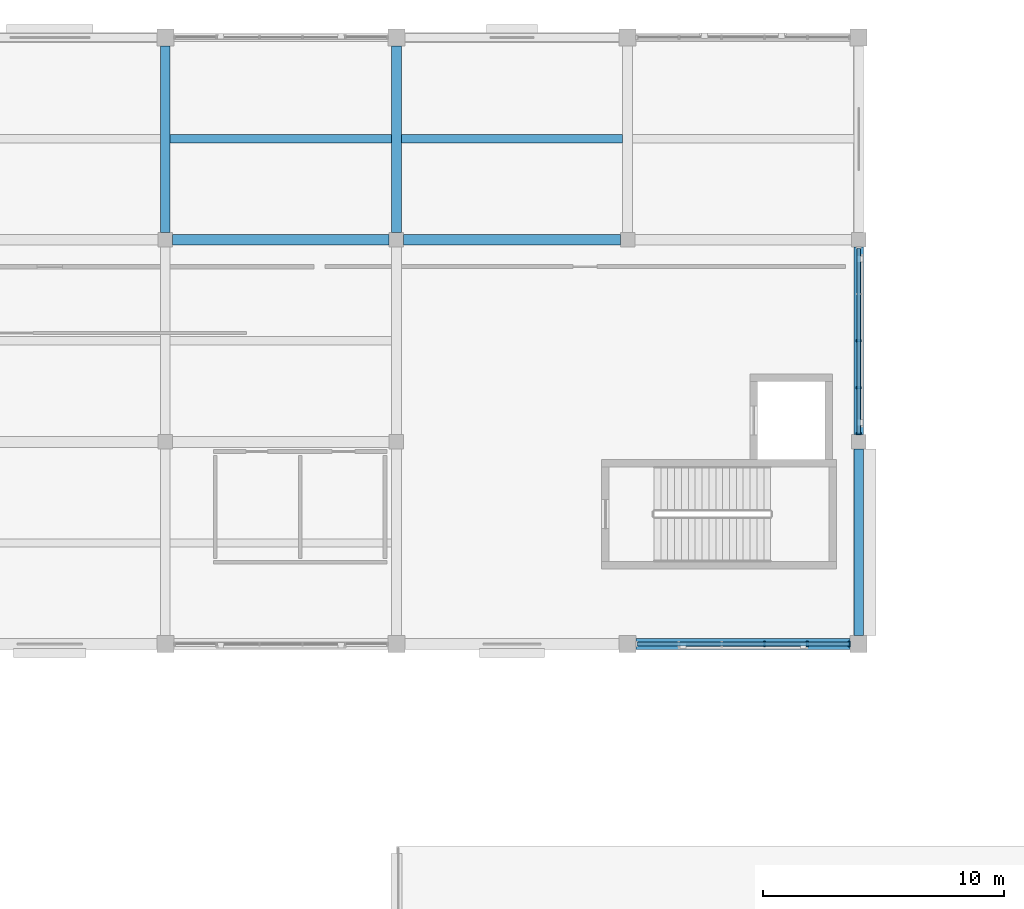
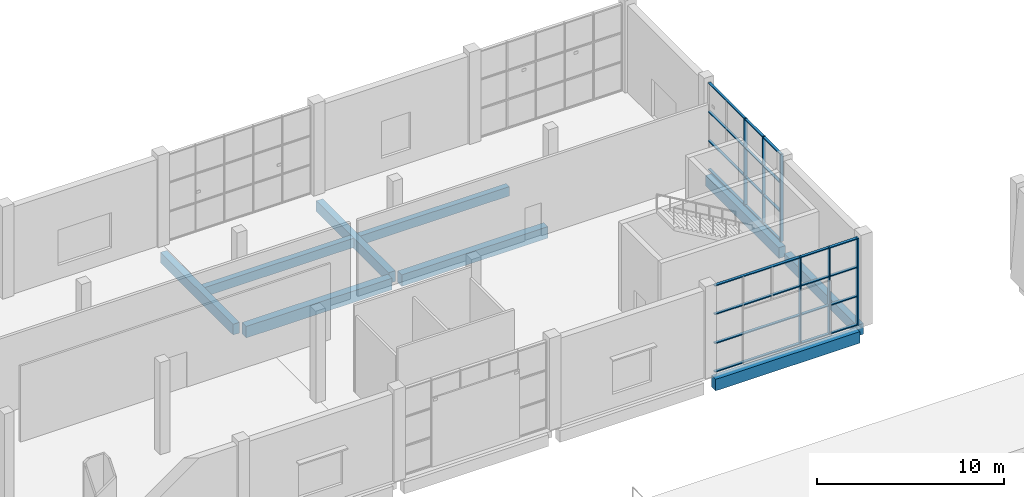
# One storey, part 33 of 84: 14 members, 9 beams, 2 elements without a shape of their own.
"""IFC4 building model written with IfcOpenShell, lengths in metres."""

from ifc_helpers import new_model, si_unit, direction, frame, origin, origin_2d, place, context, subcontext, project, spatial, rectangle, extrude, material, material_profile, profile_set, type_object, element, aggregate, save


model = new_model("IFC4")

# Units and contexts
model_context = context("Model", 3, precision=1e-05, world=origin(), true_north=direction((0.0, 1.0)))
body_context = subcontext(model_context, "Body", "Model", "MODEL_VIEW")
ifc_project = project(units=[si_unit("LENGTHUNIT", "METRE"), si_unit("AREAUNIT", "SQUARE_METRE"), si_unit("VOLUMEUNIT", "CUBIC_METRE"), si_unit("PLANEANGLEUNIT", "RADIAN"), si_unit("MASSUNIT", "GRAM", prefix="KILO")], contexts=[model_context])

# Site, building, storey
site_placement = place(None, origin())
site = spatial("IfcSite", under=ifc_project, at=site_placement, CompositionType="ELEMENT")
building_placement = place(site_placement, origin())
building = spatial("IfcBuilding", under=site, at=building_placement, Name="Shalvenor Court Art Gallery", CompositionType="ELEMENT")
storey_placement = place(building_placement, origin())
storey = spatial("IfcBuildingStorey", under=building, at=storey_placement, Name="L00", CompositionType="ELEMENT", Elevation=0.0)

# Beams
ifc_material_1 = material(Name="Concrete C40/50", Category="concrete")
ifc_material_profile_1 = material_profile(ifc_material_1, rectangle(XDim=0.449951171875, YDim=0.75, at=origin_2d()), Name="RC 450x750")
ifc_profile_set_1 = profile_set([ifc_material_profile_1], Name="Concrete C40/50")
beam_type_1 = type_object("IfcBeamType", Name="B-04", PredefinedType="BEAM", material=ifc_profile_set_1)
beam_1_placement = place(storey_placement, frame((115.550048828125, 97.199951171875, -0.715087890625), z_axis=(1.0, 0.0, 0.0), x_axis=(0.0, 1.0, 0.0)))
element("IfcBeam", 1, at=beam_1_placement, inside=storey, type_object=beam_type_1, Name="L00 Girder BM-L00-B-04-0245", PredefinedType="BEAM", context=body_context, shape_type="SweptSolid", body=[
    extrude(rectangle(XDim=0.449951171875, YDim=0.75, at=origin_2d()), origin(), (0.0, 0.0, 1.0), 8.89990234375),
])
for number, where, z_axis, x_axis, name in (
    (2, (96.300048828125, 114.0, -0.715087890625), (1.0, 0.0, 0.0), (0.0, 1.0, 0.0), "L00 Girder BM-L00-B-04-0266"),
    (3, (105.89990234375, 114.0, -0.715087890625), (1.0, 0.0, 0.0), (0.0, 1.0, 0.0), "L00 Girder BM-L00-B-04-0267"),
):
    element("IfcBeam", number, at=place(storey_placement, frame(where, z_axis=z_axis, x_axis=x_axis)), inside=storey, type_object=beam_type_1, Name=name, PredefinedType="BEAM", context=body_context, shape_type="SweptSolid", body=[
        extrude(rectangle(XDim=0.449951171875, YDim=0.75, at=origin_2d()), origin(), (0.0, 0.0, 1.0), 9.0),
    ])
ifc_material_2 = material(Name="Concrete C40/50", Category="concrete")
ifc_material_profile_2 = material_profile(ifc_material_2, rectangle(XDim=0.39990234375, YDim=0.699951171875, at=origin_2d()), Name="RC 400x700")
ifc_profile_set_2 = profile_set([ifc_material_profile_2], Name="Concrete C40/50")
beam_type_2 = type_object("IfcBeamType", Name="B-05", PredefinedType="BEAM", material=ifc_profile_set_2)
for number, where, z_axis, x_axis, name in (
    (4, (96.0, 114.300048828125, -0.68994140625), (0.0, 1.0, 0.0), (-1.0, 0.0, 0.0), "L00 Girder BM-L00-B-05-0075"),
    (5, (105.60009765625, 114.300048828125, -0.68994140625), (0.0, 1.0, 0.0), (-1.0, 0.0, 0.0), "L00 Girder BM-L00-B-05-0089"),
    (6, (124.800048828125, 97.550048828125, -0.68994140625), (0.0, 1.0, 0.0), (-1.0, 0.0, 0.0), "L00 Girder BM-L00-B-05-0103"),
):
    element("IfcBeam", number, at=place(storey_placement, frame(where, z_axis=z_axis, x_axis=x_axis)), inside=storey, type_object=beam_type_2, Name=name, PredefinedType="BEAM", context=body_context, shape_type="SweptSolid", body=[
        extrude(rectangle(XDim=0.39990234375, YDim=0.699951171875, at=origin_2d()), origin(), (0.0, 0.0, 1.0), 7.75),
    ])
beam_2_placement = place(storey_placement, frame((124.800048828125, 105.89990234375, -0.68994140625), z_axis=(0.0, 1.0, 0.0), x_axis=(-1.0, 0.0, 0.0)))
element("IfcBeam", 7, at=beam_2_placement, inside=storey, type_object=beam_type_2, Name="L00 Girder BM-L00-B-05-0104", PredefinedType="BEAM", context=body_context, shape_type="SweptSolid", body=[
    extrude(rectangle(XDim=0.39990234375, YDim=0.699951171875, at=origin_2d()), origin(), (0.0, 0.0, 1.0), 7.800048828125),
])

# Curtain wall, members
ifc_material_3 = material(Name="Anodised aluminium and low-iron glass curtain wall", Category="aluminium")
curtain_wall_type_1 = type_object("IfcCurtainWallType", Name="CW-4x3-78-57-212", PredefinedType="USERDEFINED", material=ifc_material_3)
curtain_wall_1_placement = place(storey_placement, origin())
curtain_wall_1 = element("IfcCurtainWall", 8, at=curtain_wall_1_placement, inside=storey, type_object=curtain_wall_type_1, Name="L00 V2 Curtain Wall CW-L00-057", ObjectType="CURTAIN WALL", PredefinedType="USERDEFINED")
ifc_material_4 = material(Name="Anodised aluminium mullion", Category="aluminium")
ifc_material_profile_3 = material_profile(ifc_material_4, rectangle(XDim=0.070068359375, YDim=0.199951171875, at=origin_2d()), Name="CWM-02")
ifc_profile_set_3 = profile_set([ifc_material_profile_3], Name="Anodised aluminium mullion")
member_type_1 = type_object("IfcMemberType", Name="CWM-02", PredefinedType="MULLION", material=ifc_profile_set_3)
member_1_placement = place(storey_placement, frame((124.800048828125, 109.800048828125, 0.0), z_axis=(0.0, 0.0, 1.0), x_axis=(0.0, -1.0, 0.0)))
member_1 = element("IfcMember", 9, at=member_1_placement, type_object=member_type_1, Name="CW-4x3-78-57-212 mullion 3", PredefinedType="MULLION", context=body_context, shape_type="SweptSolid", body=[
    extrude(rectangle(XDim=0.070068359375, YDim=0.199951171875, at=origin_2d()), origin(), (0.0, 0.0, 1.0), 5.679931640625),
])
member_2_placement = place(storey_placement, frame((124.800048828125, 107.85009765625, 0.0), z_axis=(0.0, 0.0, 1.0), x_axis=(0.0, -1.0, 0.0)))
member_2 = element("IfcMember", 10, at=member_2_placement, type_object=member_type_1, Name="CW-4x3-78-57-212 mullion 4", PredefinedType="MULLION", context=body_context, shape_type="SweptSolid", body=[
    extrude(rectangle(XDim=0.070068359375, YDim=0.199951171875, at=origin_2d()), origin(), (0.0, 0.0, 1.0), 5.679931640625),
])
member_3_placement = place(storey_placement, frame((124.800048828125, 105.93505859375, 0.0), z_axis=(0.0, 0.0, 1.0), x_axis=(0.0, -1.0, 0.0)))
member_3 = element("IfcMember", 11, at=member_3_placement, type_object=member_type_1, Name="CW-4x3-78-57-212 mullion 5", PredefinedType="MULLION", context=body_context, shape_type="SweptSolid", body=[
    extrude(rectangle(XDim=0.070068359375, YDim=0.199951171875, at=origin_2d()), origin(), (0.0, 0.0, 1.0), 5.679931640625),
])

ifc_material_5 = material(Name="Anodised aluminium and low-iron glass curtain wall", Category="aluminium")
curtain_wall_type_2 = type_object("IfcCurtainWallType", Name="CW-5x3-89-57-422", PredefinedType="USERDEFINED", material=ifc_material_5)
curtain_wall_2_placement = place(storey_placement, origin())
curtain_wall_2 = element("IfcCurtainWall", 12, at=curtain_wall_2_placement, inside=storey, type_object=curtain_wall_type_2, Name="L00 V2 Curtain Wall CW-L00-058", ObjectType="CURTAIN WALL", PredefinedType="USERDEFINED")
ifc_material_6 = material(Name="Anodised aluminium mullion", Category="aluminium")
ifc_material_profile_4 = material_profile(ifc_material_6, rectangle(XDim=0.074951171875, YDim=0.219970703125, at=origin_2d()), Name="CWM-04")
ifc_profile_set_4 = profile_set([ifc_material_profile_4], Name="Anodised aluminium mullion")
member_type_2 = type_object("IfcMemberType", Name="CWM-04", PredefinedType="MULLION", material=ifc_profile_set_4)
member_4_placement = place(storey_placement, frame((124.41259765625, 97.199951171875, 0.0), z_axis=(0.0, 0.0, 1.0), x_axis=(-1.0, 0.0, 0.0)))
member_4 = element("IfcMember", 13, at=member_4_placement, type_object=member_type_2, Name="CW-5x3-89-57-422 mullion 1", PredefinedType="MULLION", context=body_context, shape_type="SweptSolid", body=[
    extrude(rectangle(XDim=0.074951171875, YDim=0.219970703125, at=origin_2d()), origin(), (0.0, 0.0, 1.0), 5.679931640625),
])
member_5_placement = place(storey_placement, frame((122.669921875, 97.199951171875, 0.0), z_axis=(0.0, 0.0, 1.0), x_axis=(-1.0, 0.0, 0.0)))
member_5 = element("IfcMember", 14, at=member_5_placement, type_object=member_type_2, Name="CW-5x3-89-57-422 mullion 2", PredefinedType="MULLION", context=body_context, shape_type="SweptSolid", body=[
    extrude(rectangle(XDim=0.074951171875, YDim=0.219970703125, at=origin_2d()), origin(), (0.0, 0.0, 1.0), 5.679931640625),
])
member_6_placement = place(storey_placement, frame((120.889892578125, 97.199951171875, 0.0), z_axis=(0.0, 0.0, 1.0), x_axis=(-1.0, 0.0, 0.0)))
member_6 = element("IfcMember", 15, at=member_6_placement, type_object=member_type_2, Name="CW-5x3-89-57-422 mullion 3", PredefinedType="MULLION", context=body_context, shape_type="SweptSolid", body=[
    extrude(rectangle(XDim=0.074951171875, YDim=0.219970703125, at=origin_2d()), origin(), (0.0, 0.0, 1.0), 5.679931640625),
])

# Member
ifc_material_7 = material(Name="Anodised aluminium transom", Category="aluminium")
ifc_material_profile_5 = material_profile(ifc_material_7, rectangle(XDim=0.14990234375, YDim=0.06005859375, at=origin_2d()), Name="CWT-01")
ifc_profile_set_5 = profile_set([ifc_material_profile_5], Name="Anodised aluminium transom")
member_type_3 = type_object("IfcMemberType", Name="CWT-01", PredefinedType="USERDEFINED", material=ifc_profile_set_5)
member_7_placement = place(storey_placement, frame((124.800048828125, 113.6650390625, 0.030029296875), z_axis=(0.0, -1.0, 0.0), x_axis=(1.0, 0.0, 0.0)))
member_7 = element("IfcMember", 16, at=member_7_placement, type_object=member_type_3, Name="CW-4x3-78-57-212 transom 1", ObjectType="TRANSOM", PredefinedType="USERDEFINED", context=body_context, shape_type="SweptSolid", body=[
    extrude(rectangle(XDim=0.14990234375, YDim=0.06005859375, at=origin_2d()), origin(), (0.0, 0.0, 1.0), 7.72998046875),
])

member_8_placement = place(storey_placement, frame((124.800048828125, 113.6650390625, 1.893310546875), z_axis=(0.0, -1.0, 0.0), x_axis=(1.0, 0.0, 0.0)))
member_8 = element("IfcMember", 17, at=member_8_placement, type_object=member_type_3, Name="CW-4x3-78-57-212 transom 2", ObjectType="TRANSOM", PredefinedType="USERDEFINED", context=body_context, shape_type="SweptSolid", body=[
    extrude(rectangle(XDim=0.14990234375, YDim=0.06005859375, at=origin_2d()), origin(), (0.0, 0.0, 1.0), 7.72998046875),
])

member_9_placement = place(storey_placement, frame((124.800048828125, 113.6650390625, 3.78662109375), z_axis=(0.0, -1.0, 0.0), x_axis=(1.0, 0.0, 0.0)))
member_9 = element("IfcMember", 18, at=member_9_placement, type_object=member_type_3, Name="CW-4x3-78-57-212 transom 3", ObjectType="TRANSOM", PredefinedType="USERDEFINED", context=body_context, shape_type="SweptSolid", body=[
    extrude(rectangle(XDim=0.14990234375, YDim=0.06005859375, at=origin_2d()), origin(), (0.0, 0.0, 1.0), 7.72998046875),
])

member_10_placement = place(storey_placement, frame((124.800048828125, 113.6650390625, 5.64990234375), z_axis=(0.0, -1.0, 0.0), x_axis=(1.0, 0.0, 0.0)))
member_10 = element("IfcMember", 19, at=member_10_placement, type_object=member_type_3, Name="CW-4x3-78-57-212 transom 4", ObjectType="TRANSOM", PredefinedType="USERDEFINED", context=body_context, shape_type="SweptSolid", body=[
    extrude(rectangle(XDim=0.14990234375, YDim=0.06005859375, at=origin_2d()), origin(), (0.0, 0.0, 1.0), 7.72998046875),
])

aggregate(curtain_wall_1, [member_1, member_2, member_3, member_7, member_8, member_9, member_10])

ifc_material_8 = material(Name="Anodised aluminium transom", Category="aluminium")
ifc_material_profile_6 = material_profile(ifc_material_8, rectangle(XDim=0.169921875, YDim=0.06494140625, at=origin_2d()), Name="CWT-02")
ifc_profile_set_6 = profile_set([ifc_material_profile_6], Name="Anodised aluminium transom")
member_type_4 = type_object("IfcMemberType", Name="CWT-02", PredefinedType="USERDEFINED", material=ifc_profile_set_6)
member_11_placement = place(storey_placement, frame((124.41259765625, 97.199951171875, 0.032470703125), z_axis=(-1.0, 0.0, 0.0), x_axis=(0.0, -1.0, 0.0)))
member_11 = element("IfcMember", 20, at=member_11_placement, type_object=member_type_4, Name="CW-5x3-89-57-422 transom 1", ObjectType="TRANSOM", PredefinedType="USERDEFINED", context=body_context, shape_type="SweptSolid", body=[
    extrude(rectangle(XDim=0.169921875, YDim=0.06494140625, at=origin_2d()), origin(), (0.0, 0.0, 1.0), 8.8251953125),
])

member_12_placement = place(storey_placement, frame((124.41259765625, 97.199951171875, 1.893310546875), z_axis=(-1.0, 0.0, 0.0), x_axis=(0.0, -1.0, 0.0)))
member_12 = element("IfcMember", 21, at=member_12_placement, type_object=member_type_4, Name="CW-5x3-89-57-422 transom 2", ObjectType="TRANSOM", PredefinedType="USERDEFINED", context=body_context, shape_type="SweptSolid", body=[
    extrude(rectangle(XDim=0.169921875, YDim=0.06494140625, at=origin_2d()), origin(), (0.0, 0.0, 1.0), 8.8251953125),
])

member_13_placement = place(storey_placement, frame((124.41259765625, 97.199951171875, 3.78662109375), z_axis=(-1.0, 0.0, 0.0), x_axis=(0.0, -1.0, 0.0)))
member_13 = element("IfcMember", 22, at=member_13_placement, type_object=member_type_4, Name="CW-5x3-89-57-422 transom 3", ObjectType="TRANSOM", PredefinedType="USERDEFINED", context=body_context, shape_type="SweptSolid", body=[
    extrude(rectangle(XDim=0.169921875, YDim=0.06494140625, at=origin_2d()), origin(), (0.0, 0.0, 1.0), 8.8251953125),
])

member_14_placement = place(storey_placement, frame((124.41259765625, 97.199951171875, 5.6474609375), z_axis=(-1.0, 0.0, 0.0), x_axis=(0.0, -1.0, 0.0)))
member_14 = element("IfcMember", 23, at=member_14_placement, type_object=member_type_4, Name="CW-5x3-89-57-422 transom 4", ObjectType="TRANSOM", PredefinedType="USERDEFINED", context=body_context, shape_type="SweptSolid", body=[
    extrude(rectangle(XDim=0.169921875, YDim=0.06494140625, at=origin_2d()), origin(), (0.0, 0.0, 1.0), 8.8251953125),
])

aggregate(curtain_wall_2, [member_4, member_5, member_6, member_11, member_12, member_13, member_14])

# Beams
ifc_material_9 = material(Name="Concrete C40/50", Category="concrete")
ifc_material_profile_7 = material_profile(ifc_material_9, rectangle(XDim=0.35009765625, YDim=0.60009765625, at=origin_2d()), Name="RC 350x600")
ifc_profile_set_7 = profile_set([ifc_material_profile_7], Name="Concrete C40/50")
beam_type_3 = type_object("IfcBeamType", Name="J-01", PredefinedType="JOIST", material=ifc_profile_set_7)
for number, where, z_axis, x_axis, name in (
    (24, (96.199951171875, 118.199951171875, -0.639892578125), (1.0, 0.0, 0.0), (0.0, 1.0, 0.0), "L00 Secondary Beam JST-L00-J-01-0326"),
    (25, (105.800048828125, 118.199951171875, -0.639892578125), (1.0, 0.0, 0.0), (0.0, 1.0, 0.0), "L00 Secondary Beam JST-L00-J-01-0331"),
):
    element("IfcBeam", number, at=place(storey_placement, frame(where, z_axis=z_axis, x_axis=x_axis)), inside=storey, type_object=beam_type_3, Name=name, PredefinedType="JOIST", context=body_context, shape_type="SweptSolid", body=[
        extrude(rectangle(XDim=0.35009765625, YDim=0.60009765625, at=origin_2d()), origin(), (0.0, 0.0, 1.0), 9.199951171875),
    ])

save(model, "model.ifc")
